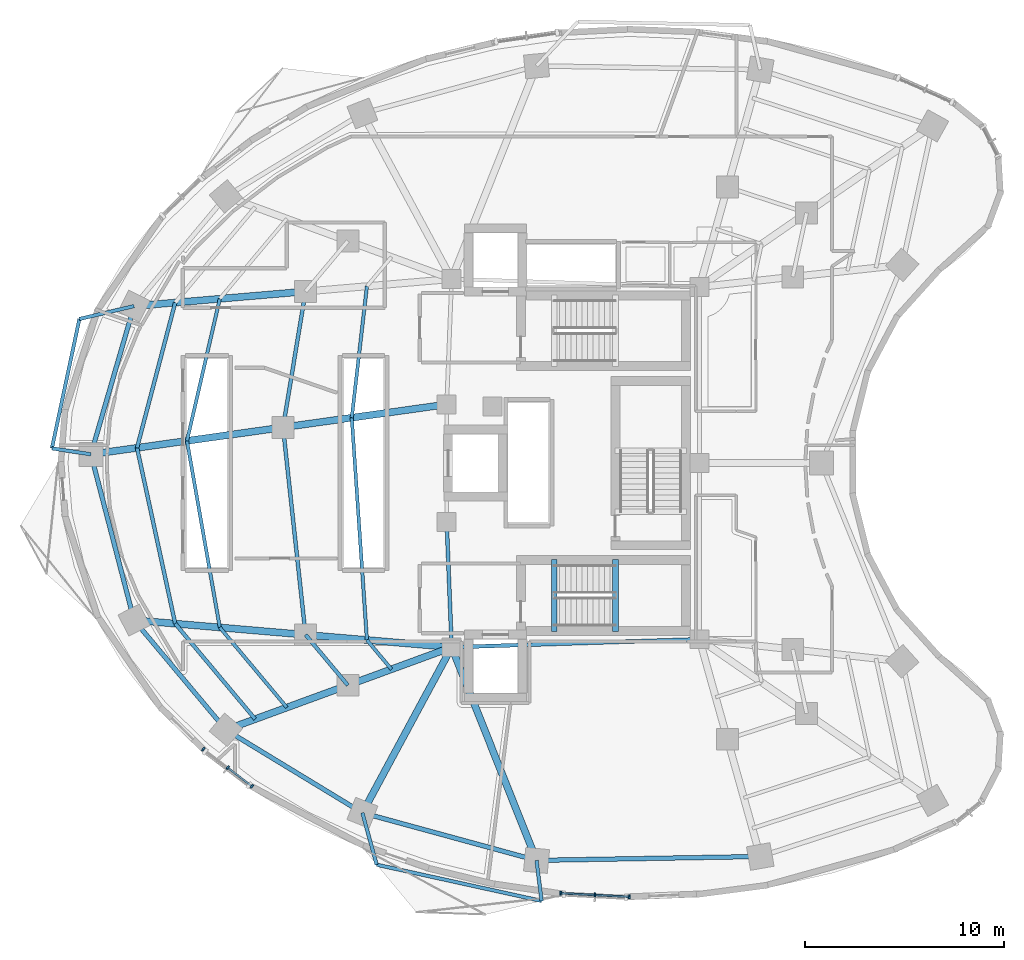
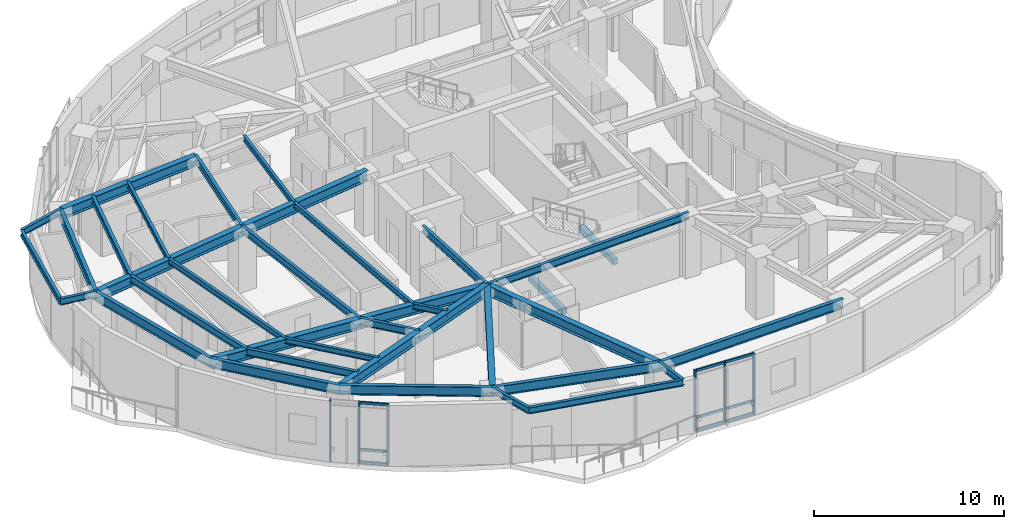
# One storey, part 2 of 13: 37 beams, 15 members, 2 elements without a shape of their own.
"""IFC4 building model written with IfcOpenShell, lengths in metres."""

from ifc_helpers import new_model, si_unit, direction, frame, origin, origin_2d, place, context, subcontext, project, spatial, rectangle, i_section, extrude, material, layer, layer_set, material_profile, profile_set, type_object, element, aggregate, save


model = new_model("IFC4")

# Units and contexts
model_context = context("Model", 3, precision=1e-05, world=origin(), true_north=direction((0.0, 1.0)))
body_context = subcontext(model_context, "Body", "Model", "MODEL_VIEW")
ifc_project = project(units=[si_unit("LENGTHUNIT", "METRE"), si_unit("AREAUNIT", "SQUARE_METRE"), si_unit("VOLUMEUNIT", "CUBIC_METRE"), si_unit("PLANEANGLEUNIT", "RADIAN"), si_unit("MASSUNIT", "GRAM", prefix="KILO")], contexts=[model_context])

# Site, building, storey
site_placement = place(None, origin())
site = spatial("IfcSite", under=ifc_project, at=site_placement, CompositionType="ELEMENT")
building_placement = place(site_placement, origin())
building = spatial("IfcBuilding", under=site, at=building_placement, Name="Korentha Bioscience Tower", CompositionType="ELEMENT")
storey_placement = place(building_placement, frame((0.0, 0.0, 123.60009765625)))
storey = spatial("IfcBuildingStorey", under=building, at=storey_placement, Name="L28", CompositionType="ELEMENT", Elevation=123.60009765625)

# Beams
ifc_material_1 = material(Name="Concrete C50", Category="concrete")
ifc_material_profile_1 = material_profile(ifc_material_1, rectangle(XDim=0.280029296875, YDim=0.3798828125, at=origin_2d()), Name="Concrete C50")
ifc_profile_set_1 = profile_set([ifc_material_profile_1], Name="Concrete C50 (ST-HB380)")
beam_type_1 = type_object("IfcBeamType", Name="Concrete Stair Header Beam RC 280x380", PredefinedType="BEAM", material=ifc_profile_set_1)
for number, where, z_axis, x_axis, name in (
    (1, (30.25, 18.550048828125, -0.190185546875), (0.0, 1.0, 0.0), (-1.0, 0.0, 0.0), "L28 ST-2 Concrete Stair Header Beam"),
    (2, (33.330078125, 18.550048828125, 1.909912109375), (0.0, 1.0, 0.0), (-1.0, 0.0, 0.0), "L28 ST-2 Half-Landing Header Beam 1"),
):
    element("IfcBeam", number, at=place(storey_placement, frame(where, z_axis=z_axis, x_axis=x_axis)), inside=storey, type_object=beam_type_1, Name=name, PredefinedType="BEAM", context=body_context, shape_type="SweptSolid", body=[
        extrude(rectangle(XDim=0.280029296875, YDim=0.3798828125, at=origin_2d()), origin(), (0.0, 0.0, 1.0), 3.599853515625),
    ])
ifc_material_2 = material(Name="Steel S355", Category="steel")
ifc_material_profile_2 = material_profile(ifc_material_2, i_section(OverallWidth=0.18994140625, OverallDepth=0.45703125, WebThickness=0.009033203125, FlangeThickness=0.014404296875, at=origin_2d()), Name="Steel S355")
ifc_profile_set_2 = profile_set([ifc_material_profile_2], Name="Steel S355 (MB-460)")
beam_type_2 = type_object("IfcBeamType", Name="Mid-Ring Tie Girder W460x74", PredefinedType="BEAM", material=ifc_profile_set_2)
beam_1_placement = place(storey_placement, frame((17.75927734375, 35.6240234375, 3.67138671875), z_axis=(-0.163580878592, -0.986529926641, 0.0), x_axis=(0.986529926641, -0.163580878592, 0.0)))
element("IfcBeam", 3, at=beam_1_placement, inside=storey, type_object=beam_type_2, Name="L28 Mid-Ring Tie Girder 06", PredefinedType="BEAM", context=body_context, shape_type="SweptSolid", body=[
    extrude(i_section(OverallWidth=0.18994140625, OverallDepth=0.45703125, WebThickness=0.009033203125, FlangeThickness=0.014404296875, at=origin_2d()), origin(), (0.0, 0.0, 1.0), 6.920654296875),
])
beam_2_placement = place(storey_placement, frame((16.627197265625, 28.796630859375, 3.67138671875), z_axis=(0.108002632645, -0.994150607977, 0.0), x_axis=(0.994150607977, 0.108002632645, 0.0)))
element("IfcBeam", 4, at=beam_2_placement, inside=storey, type_object=beam_type_2, Name="L28 Mid-Ring Tie Girder 07", PredefinedType="BEAM", context=body_context, shape_type="SweptSolid", body=[
    extrude(i_section(OverallWidth=0.18994140625, OverallDepth=0.45703125, WebThickness=0.009033203125, FlangeThickness=0.014404296875, at=origin_2d()), origin(), (0.0, 0.0, 1.0), 10.48193359375),
])
beam_3_placement = place(storey_placement, frame((17.75927734375, 18.3759765625, 3.67138671875), z_axis=(0.642121371708, -0.766602989817, 0.0), x_axis=(0.766602989817, 0.642121371708, 0.0)))
element("IfcBeam", 5, at=beam_3_placement, inside=storey, type_object=beam_type_2, Name="L28 Mid-Ring Tie Girder 08", PredefinedType="BEAM", context=body_context, shape_type="SweptSolid", body=[
    extrude(i_section(OverallWidth=0.18994140625, OverallDepth=0.45703125, WebThickness=0.009033203125, FlangeThickness=0.014404296875, at=origin_2d()), origin(), (0.0, 0.0, 1.0), 3.306640625),
])
beam_4_placement = place(storey_placement, frame((24.85009765625, 24.050048828125, 3.67138671875), z_axis=(0.039651025576, -0.999213588864, 0.0), x_axis=(0.999213588864, 0.039651025576, 0.0)))
element("IfcBeam", 6, at=beam_4_placement, inside=storey, type_object=beam_type_2, Name="L28 Core Ring Tie Girder 04", PredefinedType="BEAM", context=body_context, shape_type="SweptSolid", body=[
    extrude(i_section(OverallWidth=0.18994140625, OverallDepth=0.45703125, WebThickness=0.009033203125, FlangeThickness=0.014404296875, at=origin_2d()), origin(), (0.0, 0.0, 1.0), 6.304931640625),
])
beam_5_placement = place(storey_placement, frame((25.10009765625, 17.75, 3.67138671875), z_axis=(0.999484526071, 0.032104238723, 0.0), x_axis=(-0.032104238723, 0.999484526071, 0.0)))
element("IfcBeam", 7, at=beam_5_placement, inside=storey, type_object=beam_type_2, Name="L28 Core Ring Tie Girder 05", PredefinedType="BEAM", context=body_context, shape_type="SweptSolid", body=[
    extrude(i_section(OverallWidth=0.18994140625, OverallDepth=0.45703125, WebThickness=0.009033203125, FlangeThickness=0.014404296875, at=origin_2d()), origin(), (0.0, 0.0, 1.0), 12.456298828125),
])

# Curtain wall, members
ifc_material_3 = material(Name="Thermally Broken Aluminium Frame", Category="aluminium")
ifc_layer = layer(ifc_material_3, 0.219970703125, Name="Thermally Broken Aluminium Frame")
ifc_layer_set = layer_set([ifc_layer], Name="Thermally Broken Aluminium Frame (CW-T2)")
curtain_wall_type = type_object("IfcCurtainWallType", Name="Solar-Screened Lab Unitised Curtain Wall CW-T2", PredefinedType="USERDEFINED", material=ifc_layer_set)
curtain_wall_1_placement = place(storey_placement, origin())
curtain_wall_1 = element("IfcCurtainWall", 8, at=curtain_wall_1_placement, inside=storey, type_object=curtain_wall_type, Name="L28 Curtain Wall 25", ObjectType="UNITISED", PredefinedType="USERDEFINED")
ifc_material_4 = material(Name="Anodised Aluminium 6063-T6", Category="aluminium")
ifc_material_profile_3 = material_profile(ifc_material_4, rectangle(XDim=0.090087890625, YDim=0.199951171875, at=origin_2d()), Name="Anodised Aluminium 6063-T6")
ifc_profile_set_3 = profile_set([ifc_material_profile_3], Name="Anodised Aluminium 6063-T6 (CW-MUL)")
member_type_1 = type_object("IfcMemberType", Name="Mullion RECT 90x200", PredefinedType="MULLION", material=ifc_profile_set_3)
member_1_placement = place(storey_placement, frame((12.624267578125, 12.62890625, 0.0), z_axis=(0.0, 0.0, 1.0), x_axis=(0.794499603893, -0.607264669986, 0.0)))
member_1 = element("IfcMember", 9, at=member_1_placement, type_object=member_type_1, Name="CW-L28-25 Mullion 1", PredefinedType="MULLION", context=body_context, shape_type="SweptSolid", body=[
    extrude(rectangle(XDim=0.090087890625, YDim=0.199951171875, at=origin_2d()), origin(), (0.0, 0.0, 1.0), 3.89990234375),
])
member_2_placement = place(storey_placement, frame((13.844970703125, 11.69580078125, 0.0), z_axis=(0.0, 0.0, 1.0), x_axis=(0.794499603893, -0.607264669986, 0.0)))
member_2 = element("IfcMember", 10, at=member_2_placement, type_object=member_type_1, Name="CW-L28-25 Mullion 2", PredefinedType="MULLION", context=body_context, shape_type="SweptSolid", body=[
    extrude(rectangle(XDim=0.090087890625, YDim=0.199951171875, at=origin_2d()), origin(), (0.0, 0.0, 1.0), 3.89990234375),
])
member_3_placement = place(storey_placement, frame((15.0654296875, 10.7626953125, 0.0), z_axis=(0.0, 0.0, 1.0), x_axis=(0.794499603893, -0.607264669986, 0.0)))
member_3 = element("IfcMember", 11, at=member_3_placement, type_object=member_type_1, Name="CW-L28-25 Mullion 3", PredefinedType="MULLION", context=body_context, shape_type="SweptSolid", body=[
    extrude(rectangle(XDim=0.090087890625, YDim=0.199951171875, at=origin_2d()), origin(), (0.0, 0.0, 1.0), 3.89990234375),
])

curtain_wall_2_placement = place(storey_placement, origin())
curtain_wall_2 = element("IfcCurtainWall", 12, at=curtain_wall_2_placement, inside=storey, type_object=curtain_wall_type, Name="L28 Curtain Wall 31", ObjectType="UNITISED", PredefinedType="USERDEFINED")
member_4_placement = place(storey_placement, frame((30.571533203125, 5.39111328125, 0.0), z_axis=(0.0, 0.0, 1.0), x_axis=(0.998673231344, -0.051495407527, 0.0)))
member_4 = element("IfcMember", 13, at=member_4_placement, type_object=member_type_1, Name="CW-L28-31 Mullion 1", PredefinedType="MULLION", context=body_context, shape_type="SweptSolid", body=[
    extrude(rectangle(XDim=0.090087890625, YDim=0.199951171875, at=origin_2d()), origin(), (0.0, 0.0, 1.0), 3.89990234375),
])
member_5_placement = place(storey_placement, frame((32.301025390625, 5.302001953125, 0.0), z_axis=(0.0, 0.0, 1.0), x_axis=(0.998673231344, -0.051495407527, 0.0)))
member_5 = element("IfcMember", 14, at=member_5_placement, type_object=member_type_1, Name="CW-L28-31 Mullion 2", PredefinedType="MULLION", context=body_context, shape_type="SweptSolid", body=[
    extrude(rectangle(XDim=0.090087890625, YDim=0.199951171875, at=origin_2d()), origin(), (0.0, 0.0, 1.0), 3.89990234375),
])
member_6_placement = place(storey_placement, frame((34.03076171875, 5.212646484375, 0.0), z_axis=(0.0, 0.0, 1.0), x_axis=(0.998673231344, -0.051495407527, 0.0)))
member_6 = element("IfcMember", 15, at=member_6_placement, type_object=member_type_1, Name="CW-L28-31 Mullion 3", PredefinedType="MULLION", context=body_context, shape_type="SweptSolid", body=[
    extrude(rectangle(XDim=0.090087890625, YDim=0.199951171875, at=origin_2d()), origin(), (0.0, 0.0, 1.0), 3.89990234375),
])

# Beams
ifc_material_profile_4 = material_profile(ifc_material_2, i_section(OverallWidth=0.22802734375, OverallDepth=0.60791015625, WebThickness=0.01123046875, FlangeThickness=0.017333984375, at=origin_2d()), Name="Steel S355")
ifc_profile_set_4 = profile_set([ifc_material_profile_4], Name="Steel S355 (SB-610)")
beam_type_3 = type_object("IfcBeamType", Name="Perimeter Ring Spandrel Girder W610x113", PredefinedType="SPANDREL", material=ifc_profile_set_4)
beam_6_placement = place(storey_placement, frame((9.141845703125, 34.889404296875, 3.595947265625), z_axis=(-0.279486251653, -0.960149694129, 0.0), x_axis=(0.960149694129, -0.279486251653, 0.0)))
element("IfcBeam", 16, at=beam_6_placement, inside=storey, type_object=beam_type_3, Name="L28 Perimeter Spandrel Girder 06", PredefinedType="SPANDREL", context=body_context, shape_type="SweptSolid", body=[
    extrude(i_section(OverallWidth=0.22802734375, OverallDepth=0.60791015625, WebThickness=0.01123046875, FlangeThickness=0.017333984375, at=origin_2d()), origin(), (0.0, 0.0, 1.0), 7.756103515625),
])
beam_7_placement = place(storey_placement, frame((6.97412109375, 27.4423828125, 3.595947265625), z_axis=(0.251792692694, -0.96778119423, 0.0), x_axis=(0.96778119423, 0.251792692694, 0.0)))
element("IfcBeam", 17, at=beam_7_placement, inside=storey, type_object=beam_type_3, Name="L28 Perimeter Spandrel Girder 07", PredefinedType="SPANDREL", context=body_context, shape_type="SweptSolid", body=[
    extrude(i_section(OverallWidth=0.22802734375, OverallDepth=0.60791015625, WebThickness=0.01123046875, FlangeThickness=0.017333984375, at=origin_2d()), origin(), (0.0, 0.0, 1.0), 8.609130859375),
])
beam_8_placement = place(storey_placement, frame((9.141845703125, 19.110595703125, 3.595947265625), z_axis=(0.642126556076, -0.76659864726, 0.0), x_axis=(0.76659864726, 0.642126556076, 0.0)))
element("IfcBeam", 18, at=beam_8_placement, inside=storey, type_object=beam_type_3, Name="L28 Perimeter Spandrel Girder 08", PredefinedType="SPANDREL", context=body_context, shape_type="SweptSolid", body=[
    extrude(i_section(OverallWidth=0.22802734375, OverallDepth=0.60791015625, WebThickness=0.01123046875, FlangeThickness=0.017333984375, at=origin_2d()), origin(), (0.0, 0.0, 1.0), 7.1884765625),
])
beam_9_placement = place(storey_placement, frame((13.7578125, 13.599853515625, 3.595947265625), z_axis=(0.854461040474, -0.51951547649, 0.0), x_axis=(0.51951547649, 0.854461040474, 0.0)))
element("IfcBeam", 19, at=beam_9_placement, inside=storey, type_object=beam_type_3, Name="L28 Perimeter Spandrel Girder 09", PredefinedType="SPANDREL", context=body_context, shape_type="SweptSolid", body=[
    extrude(i_section(OverallWidth=0.22802734375, OverallDepth=0.60791015625, WebThickness=0.01123046875, FlangeThickness=0.017333984375, at=origin_2d()), origin(), (0.0, 0.0, 1.0), 8.025146484375),
])
beam_10_placement = place(storey_placement, frame((20.614990234375, 9.4306640625, 3.595947265625), z_axis=(0.964659386444, -0.263500034431, 0.0), x_axis=(0.263500034431, 0.964659386444, 0.0)))
element("IfcBeam", 20, at=beam_10_placement, inside=storey, type_object=beam_type_3, Name="L28 Perimeter Spandrel Girder 10", PredefinedType="SPANDREL", context=body_context, shape_type="SweptSolid", body=[
    extrude(i_section(OverallWidth=0.22802734375, OverallDepth=0.60791015625, WebThickness=0.01123046875, FlangeThickness=0.017333984375, at=origin_2d()), origin(), (0.0, 0.0, 1.0), 9.06982421875),
])
beam_11_placement = place(storey_placement, frame((29.3642578125, 7.040771484375, 3.595947265625), z_axis=(0.999850566826, 0.017287105523, 0.0), x_axis=(-0.017287105523, 0.999850566826, 0.0)))
element("IfcBeam", 21, at=beam_11_placement, inside=storey, type_object=beam_type_3, Name="L28 Perimeter Spandrel Girder 11", PredefinedType="SPANDREL", context=body_context, shape_type="SweptSolid", body=[
    extrude(i_section(OverallWidth=0.22802734375, OverallDepth=0.60791015625, WebThickness=0.01123046875, FlangeThickness=0.017333984375, at=origin_2d()), origin(), (0.0, 0.0, 1.0), 11.24169921875),
])
ifc_material_profile_5 = material_profile(ifc_material_2, i_section(OverallWidth=0.18994140625, OverallDepth=0.45703125, WebThickness=0.009033203125, FlangeThickness=0.014404296875, at=origin_2d()), Name="Steel S355")
ifc_profile_set_5 = profile_set([ifc_material_profile_5], Name="Steel S355 (RB-460)")
beam_type_4 = type_object("IfcBeamType", Name="Radial Laboratory Beam W460x74", PredefinedType="BEAM", material=ifc_profile_set_5)
beam_12_placement = place(storey_placement, frame((11.2099609375, 35.065673828125, 3.67138671875), z_axis=(-0.254294231014, -0.967126901742, 0.0), x_axis=(0.967126901742, -0.254294231014, 0.0)))
element("IfcBeam", 22, at=beam_12_placement, inside=storey, type_object=beam_type_4, Name="L28 Secondary Floor Beam JSTO-06", PredefinedType="BEAM", context=body_context, shape_type="SweptSolid", body=[
    extrude(i_section(OverallWidth=0.18994140625, OverallDepth=0.45703125, WebThickness=0.009033203125, FlangeThickness=0.014404296875, at=origin_2d()), origin(), (0.0, 0.0, 1.0), 7.546142578125),
])
beam_13_placement = place(storey_placement, frame((9.291015625, 27.767578125, 3.67138671875), z_axis=(0.212289478944, -0.977206824132, 0.0), x_axis=(0.977206824132, 0.212289478944, 0.0)))
element("IfcBeam", 23, at=beam_13_placement, inside=storey, type_object=beam_type_4, Name="L28 Secondary Floor Beam JSTO-07", PredefinedType="BEAM", context=body_context, shape_type="SweptSolid", body=[
    extrude(i_section(OverallWidth=0.18994140625, OverallDepth=0.45703125, WebThickness=0.009033203125, FlangeThickness=0.014404296875, at=origin_2d()), origin(), (0.0, 0.0, 1.0), 9.039306640625),
])
beam_14_placement = place(storey_placement, frame((11.2099609375, 18.934326171875, 3.67138671875), z_axis=(0.642128156066, -0.766597307057, 0.0), x_axis=(0.766597307057, 0.642128156066, 0.0)))
element("IfcBeam", 24, at=beam_14_placement, inside=storey, type_object=beam_type_4, Name="L28 Secondary Floor Beam JSTO-08", PredefinedType="BEAM", context=body_context, shape_type="SweptSolid", body=[
    extrude(i_section(OverallWidth=0.18994140625, OverallDepth=0.45703125, WebThickness=0.009033203125, FlangeThickness=0.014404296875, at=origin_2d()), origin(), (0.0, 0.0, 1.0), 6.257080078125),
])
ifc_material_profile_6 = material_profile(ifc_material_2, i_section(OverallWidth=0.35009765625, OverallDepth=0.64990234375, WebThickness=0.01611328125, FlangeThickness=0.02490234375, at=origin_2d()), Name="Steel S355")
ifc_profile_set_6 = profile_set([ifc_material_profile_6], Name="Steel S355 (RB-650)")
beam_type_5 = type_object("IfcBeamType", Name="Radial Laboratory Girder CVS 650x208", PredefinedType="BEAM", material=ifc_profile_set_6)
beam_15_placement = place(storey_placement, frame((17.75927734375, 35.6240234375, 3.574951171875), z_axis=(-0.996386071548, -0.084939957767, 0.0), x_axis=(0.084939957767, -0.996386071548, 0.0)))
element("IfcBeam", 25, at=beam_15_placement, inside=storey, type_object=beam_type_5, Name="L28 Outer Radial Girder 06", PredefinedType="BEAM", context=body_context, shape_type="SweptSolid", body=[
    extrude(i_section(OverallWidth=0.35009765625, OverallDepth=0.64990234375, WebThickness=0.01611328125, FlangeThickness=0.02490234375, at=origin_2d()), origin(), (0.0, 0.0, 1.0), 8.648681640625),
])
beam_16_placement = place(storey_placement, frame((24.85009765625, 29.949951171875, 3.574951171875), z_axis=(-0.990306752817, -0.13889757134, 0.0), x_axis=(0.13889757134, -0.990306752817, 0.0)))
element("IfcBeam", 26, at=beam_16_placement, inside=storey, type_object=beam_type_5, Name="L28 Inner Radial Girder 07", PredefinedType="BEAM", context=body_context, shape_type="SweptSolid", body=[
    extrude(i_section(OverallWidth=0.35009765625, OverallDepth=0.64990234375, WebThickness=0.01611328125, FlangeThickness=0.02490234375, at=origin_2d()), origin(), (0.0, 0.0, 1.0), 8.303466796875),
])
beam_17_placement = place(storey_placement, frame((16.627197265625, 28.796630859375, 3.574951171875), z_axis=(-0.99030201931, -0.138931315944, 0.0), x_axis=(0.138931315944, -0.99030201931, 0.0)))
element("IfcBeam", 27, at=beam_17_placement, inside=storey, type_object=beam_type_5, Name="L28 Outer Radial Girder 07", PredefinedType="BEAM", context=body_context, shape_type="SweptSolid", body=[
    extrude(i_section(OverallWidth=0.35009765625, OverallDepth=0.64990234375, WebThickness=0.01611328125, FlangeThickness=0.02490234375, at=origin_2d()), origin(), (0.0, 0.0, 1.0), 9.74755859375),
])
beam_18_placement = place(storey_placement, frame((25.10009765625, 17.75, 3.574951171875), z_axis=(-0.996383934197, 0.084965026183, 0.0), x_axis=(-0.084965026183, -0.996383934197, 0.0)))
element("IfcBeam", 28, at=beam_18_placement, inside=storey, type_object=beam_type_5, Name="L28 Inner Radial Girder 08", PredefinedType="BEAM", context=body_context, shape_type="SweptSolid", body=[
    extrude(i_section(OverallWidth=0.35009765625, OverallDepth=0.64990234375, WebThickness=0.01611328125, FlangeThickness=0.02490234375, at=origin_2d()), origin(), (0.0, 0.0, 1.0), 7.367431640625),
])
beam_19_placement = place(storey_placement, frame((17.75927734375, 18.3759765625, 3.574951171875), z_axis=(-0.996386071548, 0.084939957767, 0.0), x_axis=(-0.084939957767, -0.996386071548, 0.0)))
element("IfcBeam", 29, at=beam_19_placement, inside=storey, type_object=beam_type_5, Name="L28 Outer Radial Girder 08", PredefinedType="BEAM", context=body_context, shape_type="SweptSolid", body=[
    extrude(i_section(OverallWidth=0.35009765625, OverallDepth=0.64990234375, WebThickness=0.01611328125, FlangeThickness=0.02490234375, at=origin_2d()), origin(), (0.0, 0.0, 1.0), 8.648681640625),
])
beam_20_placement = place(storey_placement, frame((25.10009765625, 17.75, 3.574951171875), z_axis=(-0.939118010396, -0.343594765022, 0.0), x_axis=(0.343594765022, -0.939118010396, 0.0)))
element("IfcBeam", 30, at=beam_20_placement, inside=storey, type_object=beam_type_5, Name="L28 Inner Radial Girder 09", PredefinedType="BEAM", context=body_context, shape_type="SweptSolid", body=[
    extrude(i_section(OverallWidth=0.35009765625, OverallDepth=0.64990234375, WebThickness=0.01611328125, FlangeThickness=0.02490234375, at=origin_2d()), origin(), (0.0, 0.0, 1.0), 5.5556640625),
])
beam_21_placement = place(storey_placement, frame((19.882568359375, 15.841064453125, 3.574951171875), z_axis=(-0.939100755225, -0.343641923425, 0.0), x_axis=(0.343641923425, -0.939100755225, 0.0)))
element("IfcBeam", 31, at=beam_21_placement, inside=storey, type_object=beam_type_5, Name="L28 Outer Radial Girder 09", PredefinedType="BEAM", context=body_context, shape_type="SweptSolid", body=[
    extrude(i_section(OverallWidth=0.35009765625, OverallDepth=0.64990234375, WebThickness=0.01611328125, FlangeThickness=0.02490234375, at=origin_2d()), origin(), (0.0, 0.0, 1.0), 6.52197265625),
])
beam_22_placement = place(storey_placement, frame((25.10009765625, 17.75, 3.574951171875), z_axis=(-0.474548018732, -0.880229616587, 0.0), x_axis=(0.880229616587, -0.474548018732, 0.0)))
element("IfcBeam", 32, at=beam_22_placement, inside=storey, type_object=beam_type_5, Name="L28 Radial Girder 10", PredefinedType="BEAM", context=body_context, shape_type="SweptSolid", body=[
    extrude(i_section(OverallWidth=0.35009765625, OverallDepth=0.64990234375, WebThickness=0.01611328125, FlangeThickness=0.02490234375, at=origin_2d()), origin(), (0.0, 0.0, 1.0), 9.451416015625),
])
beam_23_placement = place(storey_placement, frame((25.10009765625, 17.75, 3.574951171875), z_axis=(0.369929528493, -0.929059817207, 0.0), x_axis=(0.929059817207, 0.369929528493, 0.0)))
element("IfcBeam", 33, at=beam_23_placement, inside=storey, type_object=beam_type_5, Name="L28 Radial Girder 11", PredefinedType="BEAM", context=body_context, shape_type="SweptSolid", body=[
    extrude(i_section(OverallWidth=0.35009765625, OverallDepth=0.64990234375, WebThickness=0.01611328125, FlangeThickness=0.02490234375, at=origin_2d()), origin(), (0.0, 0.0, 1.0), 11.52685546875),
])
ifc_material_profile_7 = material_profile(ifc_material_2, i_section(OverallWidth=0.1708984375, OverallDepth=0.35498046875, WebThickness=0.007080078125, FlangeThickness=0.01171875, at=origin_2d()), Name="Steel S355")
ifc_profile_set_7 = profile_set([ifc_material_profile_7], Name="Steel S355 (JB-360)")
beam_type_6 = type_object("IfcBeamType", Name="Secondary Laboratory Joist W360x51", PredefinedType="JOIST", material=ifc_profile_set_7)
beam_24_placement = place(storey_placement, frame((13.450439453125, 35.256591796875, 3.722412109375), z_axis=(-0.225236780605, -0.974304055551, 0.0), x_axis=(0.974304055551, -0.225236780605, 0.0)))
element("IfcBeam", 34, at=beam_24_placement, inside=storey, type_object=beam_type_6, Name="L28 Secondary Floor Beam JST-06", PredefinedType="JOIST", context=body_context, shape_type="SweptSolid", body=[
    extrude(i_section(OverallWidth=0.1708984375, OverallDepth=0.35498046875, WebThickness=0.007080078125, FlangeThickness=0.01171875, at=origin_2d()), origin(), (0.0, 0.0, 1.0), 7.3251953125),
])
beam_25_placement = place(storey_placement, frame((20.84228515625, 35.886962890625, 3.722412109375), z_axis=(-0.114512623722, -0.993421793101, 0.0), x_axis=(0.993421793101, -0.114512623722, 0.0)))
element("IfcBeam", 35, at=beam_25_placement, inside=storey, type_object=beam_type_6, Name="L28 Inner Bay Joist 06", PredefinedType="JOIST", context=body_context, shape_type="SweptSolid", body=[
    extrude(i_section(OverallWidth=0.1708984375, OverallDepth=0.35498046875, WebThickness=0.007080078125, FlangeThickness=0.01171875, at=origin_2d()), origin(), (0.0, 0.0, 1.0), 6.649658203125),
])
beam_26_placement = place(storey_placement, frame((11.800537109375, 28.11962890625, 3.722412109375), z_axis=(0.173304009699, -0.984868377105, 0.0), x_axis=(0.984868377105, 0.173304009699, 0.0)))
element("IfcBeam", 36, at=beam_26_placement, inside=storey, type_object=beam_type_6, Name="L28 Secondary Floor Beam JST-07", PredefinedType="JOIST", context=body_context, shape_type="SweptSolid", body=[
    extrude(i_section(OverallWidth=0.1708984375, OverallDepth=0.35498046875, WebThickness=0.007080078125, FlangeThickness=0.01171875, at=origin_2d()), origin(), (0.0, 0.0, 1.0), 9.520263671875),
])
beam_27_placement = place(storey_placement, frame((20.080810546875, 29.281005859375, 3.722412109375), z_axis=(0.068025861704, -0.997683558118, 0.0), x_axis=(0.997683558118, 0.068025861704, 0.0)))
element("IfcBeam", 37, at=beam_27_placement, inside=storey, type_object=beam_type_6, Name="L28 Inner Bay Joist 07", PredefinedType="JOIST", context=body_context, shape_type="SweptSolid", body=[
    extrude(i_section(OverallWidth=0.1708984375, OverallDepth=0.35498046875, WebThickness=0.007080078125, FlangeThickness=0.01171875, at=origin_2d()), origin(), (0.0, 0.0, 1.0), 11.19384765625),
])
beam_28_placement = place(storey_placement, frame((13.450439453125, 18.743408203125, 3.722412109375), z_axis=(0.642140812018, -0.76658670582, 0.0), x_axis=(0.76658670582, 0.642140812018, 0.0)))
element("IfcBeam", 38, at=beam_28_placement, inside=storey, type_object=beam_type_6, Name="L28 Secondary Floor Beam JST-08", PredefinedType="JOIST", context=body_context, shape_type="SweptSolid", body=[
    extrude(i_section(OverallWidth=0.1708984375, OverallDepth=0.35498046875, WebThickness=0.007080078125, FlangeThickness=0.01171875, at=origin_2d()), origin(), (0.0, 0.0, 1.0), 5.247802734375),
])
beam_29_placement = place(storey_placement, frame((20.84228515625, 18.113037109375, 3.722412109375), z_axis=(0.64218549873, -0.766549271229, 0.0), x_axis=(0.766549271229, 0.64218549873, 0.0)))
element("IfcBeam", 39, at=beam_29_placement, inside=storey, type_object=beam_type_6, Name="L28 Inner Bay Joist 08", PredefinedType="JOIST", context=body_context, shape_type="SweptSolid", body=[
    extrude(i_section(OverallWidth=0.1708984375, OverallDepth=0.35498046875, WebThickness=0.007080078125, FlangeThickness=0.01171875, at=origin_2d()), origin(), (0.0, 0.0, 1.0), 1.91796875),
])
ifc_material_profile_8 = material_profile(ifc_material_2, i_section(OverallWidth=0.177978515625, OverallDepth=0.406982421875, WebThickness=0.0078125, FlangeThickness=0.0126953125, at=origin_2d()), Name="Steel S355")
ifc_profile_set_8 = profile_set([ifc_material_profile_8], Name="Steel S355 (CB-410)")
beam_type_7 = type_object("IfcBeamType", Name="Sun-Ledge Cantilever Beam W410x60", PredefinedType="BEAM", material=ifc_profile_set_8)
beam_30_placement = place(storey_placement, frame((9.141845703125, 34.889404296875, 3.698486328125), z_axis=(-0.973303545012, -0.229521696725, 0.0), x_axis=(0.229521696725, -0.973303545012, 0.0)))
element("IfcBeam", 40, at=beam_30_placement, inside=storey, type_object=beam_type_7, Name="L28 Balcony Cantilever Bracket A-L29-02", PredefinedType="BEAM", context=body_context, shape_type="SweptSolid", body=[
    extrude(i_section(OverallWidth=0.177978515625, OverallDepth=0.406982421875, WebThickness=0.0078125, FlangeThickness=0.0126953125, at=origin_2d()), origin(), (0.0, 0.0, 1.0), 2.82080078125),
])
beam_31_placement = place(storey_placement, frame((6.97412109375, 27.4423828125, 3.698486328125), z_axis=(-0.988449844693, 0.151548357058, 0.0), x_axis=(-0.151548357058, -0.988449844693, 0.0)))
element("IfcBeam", 41, at=beam_31_placement, inside=storey, type_object=beam_type_7, Name="L28 Balcony Cantilever Bracket B-L29-02", PredefinedType="BEAM", context=body_context, shape_type="SweptSolid", body=[
    extrude(i_section(OverallWidth=0.177978515625, OverallDepth=0.406982421875, WebThickness=0.0078125, FlangeThickness=0.0126953125, at=origin_2d()), origin(), (0.0, 0.0, 1.0), 1.983154296875),
])
beam_32_placement = place(storey_placement, frame((6.396240234375, 34.241943359375, 3.698486328125), z_axis=(-0.208043322496, -0.978119612299, 0.0), x_axis=(0.978119612299, -0.208043322496, 0.0)))
element("IfcBeam", 42, at=beam_32_placement, inside=storey, type_object=beam_type_7, Name="L28 Balcony Edge Trimmer Beam L29-02", PredefinedType="BEAM", context=body_context, shape_type="SweptSolid", body=[
    extrude(i_section(OverallWidth=0.177978515625, OverallDepth=0.406982421875, WebThickness=0.0078125, FlangeThickness=0.0126953125, at=origin_2d()), origin(), (0.0, 0.0, 1.0), 6.644287109375),
])
beam_33_placement = place(storey_placement, frame((20.614990234375, 9.4306640625, 3.698486328125), z_axis=(0.26487511254, -0.964282725531, 0.0), x_axis=(0.964282725531, 0.26487511254, 0.0)))
element("IfcBeam", 43, at=beam_33_placement, inside=storey, type_object=beam_type_7, Name="L28 Balcony Cantilever Bracket A-L29-03", PredefinedType="BEAM", context=body_context, shape_type="SweptSolid", body=[
    extrude(i_section(OverallWidth=0.177978515625, OverallDepth=0.406982421875, WebThickness=0.0078125, FlangeThickness=0.0126953125, at=origin_2d()), origin(), (0.0, 0.0, 1.0), 2.702392578125),
])
beam_34_placement = place(storey_placement, frame((29.3642578125, 7.040771484375, 3.698486328125), z_axis=(0.124078617268, -0.992272390393, 0.0), x_axis=(0.992272390393, 0.124078617268, 0.0)))
element("IfcBeam", 44, at=beam_34_placement, inside=storey, type_object=beam_type_7, Name="L28 Balcony Cantilever Bracket B-L29-03", PredefinedType="BEAM", context=body_context, shape_type="SweptSolid", body=[
    extrude(i_section(OverallWidth=0.177978515625, OverallDepth=0.406982421875, WebThickness=0.0078125, FlangeThickness=0.0126953125, at=origin_2d()), origin(), (0.0, 0.0, 1.0), 2.05419921875),
])
beam_35_placement = place(storey_placement, frame((21.330810546875, 6.82470703125, 3.698486328125), z_axis=(0.976673314546, -0.21473061415, 0.0), x_axis=(0.21473061415, 0.976673314546, 0.0)))
element("IfcBeam", 45, at=beam_35_placement, inside=storey, type_object=beam_type_7, Name="L28 Balcony Edge Trimmer Beam L29-03", PredefinedType="BEAM", context=body_context, shape_type="SweptSolid", body=[
    extrude(i_section(OverallWidth=0.177978515625, OverallDepth=0.406982421875, WebThickness=0.0078125, FlangeThickness=0.0126953125, at=origin_2d()), origin(), (0.0, 0.0, 1.0), 8.486328125),
])

# Member
ifc_material_profile_9 = material_profile(ifc_material_4, rectangle(XDim=0.090087890625, YDim=0.159912109375, at=origin_2d()), Name="Anodised Aluminium 6063-T6")
ifc_profile_set_9 = profile_set([ifc_material_profile_9], Name="Anodised Aluminium 6063-T6 (CW-TRN)")
member_type_2 = type_object("IfcMemberType", Name="Transom RECT 90x160", PredefinedType="USERDEFINED", material=ifc_profile_set_9)
member_7_placement = place(storey_placement, frame((13.880615234375, 11.66845703125, 0.044921875), z_axis=(0.794477589546, -0.607293470828, 0.0), x_axis=(0.607293470828, 0.794477589546, 0.0)))
member_7 = element("IfcMember", 46, at=member_7_placement, type_object=member_type_2, Name="CW-L28-25 Bay 2 Transom 1", ObjectType="TRANSOM", PredefinedType="USERDEFINED", context=body_context, shape_type="SweptSolid", body=[
    extrude(rectangle(XDim=0.090087890625, YDim=0.159912109375, at=origin_2d()), origin(), (0.0, 0.0, 1.0), 1.446533203125),
])

member_8_placement = place(storey_placement, frame((13.880615234375, 11.66845703125, 0.849853515625), z_axis=(0.794477589546, -0.607293470828, 0.0), x_axis=(0.607293470828, 0.794477589546, 0.0)))
member_8 = element("IfcMember", 47, at=member_8_placement, type_object=member_type_2, Name="CW-L28-25 Bay 2 Transom 2", ObjectType="TRANSOM", PredefinedType="USERDEFINED", context=body_context, shape_type="SweptSolid", body=[
    extrude(rectangle(XDim=0.090087890625, YDim=0.159912109375, at=origin_2d()), origin(), (0.0, 0.0, 1.0), 1.446533203125),
])

member_9_placement = place(storey_placement, frame((13.880615234375, 11.66845703125, 3.85498046875), z_axis=(0.794477589546, -0.607293470828, 0.0), x_axis=(0.607293470828, 0.794477589546, 0.0)))
member_9 = element("IfcMember", 48, at=member_9_placement, type_object=member_type_2, Name="CW-L28-25 Bay 2 Transom 3", ObjectType="TRANSOM", PredefinedType="USERDEFINED", context=body_context, shape_type="SweptSolid", body=[
    extrude(rectangle(XDim=0.090087890625, YDim=0.159912109375, at=origin_2d()), origin(), (0.0, 0.0, 1.0), 1.446533203125),
])

aggregate(curtain_wall_1, [member_1, member_2, member_3, member_7, member_8, member_9])

member_10_placement = place(storey_placement, frame((30.616455078125, 5.388916015625, 0.044921875), z_axis=(0.998667892989, -0.05159883247, 0.0), x_axis=(0.05159883247, 0.998667892989, 0.0)))
member_10 = element("IfcMember", 49, at=member_10_placement, type_object=member_type_2, Name="CW-L28-31 Bay 1 Transom 1", ObjectType="TRANSOM", PredefinedType="USERDEFINED", context=body_context, shape_type="SweptSolid", body=[
    extrude(rectangle(XDim=0.090087890625, YDim=0.159912109375, at=origin_2d()), origin(), (0.0, 0.0, 1.0), 1.641845703125),
])

member_11_placement = place(storey_placement, frame((30.616455078125, 5.388916015625, 0.849853515625), z_axis=(0.998667892989, -0.05159883247, 0.0), x_axis=(0.05159883247, 0.998667892989, 0.0)))
member_11 = element("IfcMember", 50, at=member_11_placement, type_object=member_type_2, Name="CW-L28-31 Bay 1 Transom 2", ObjectType="TRANSOM", PredefinedType="USERDEFINED", context=body_context, shape_type="SweptSolid", body=[
    extrude(rectangle(XDim=0.090087890625, YDim=0.159912109375, at=origin_2d()), origin(), (0.0, 0.0, 1.0), 1.641845703125),
])

member_12_placement = place(storey_placement, frame((30.616455078125, 5.388916015625, 3.85498046875), z_axis=(0.998667892989, -0.05159883247, 0.0), x_axis=(0.05159883247, 0.998667892989, 0.0)))
member_12 = element("IfcMember", 51, at=member_12_placement, type_object=member_type_2, Name="CW-L28-31 Bay 1 Transom 3", ObjectType="TRANSOM", PredefinedType="USERDEFINED", context=body_context, shape_type="SweptSolid", body=[
    extrude(rectangle(XDim=0.090087890625, YDim=0.159912109375, at=origin_2d()), origin(), (0.0, 0.0, 1.0), 1.641845703125),
])

member_13_placement = place(storey_placement, frame((32.345947265625, 5.299560546875, 0.044921875), z_axis=(0.998675544552, -0.051450526863, 0.0), x_axis=(0.051450526863, 0.998675544552, 0.0)))
member_13 = element("IfcMember", 52, at=member_13_placement, type_object=member_type_2, Name="CW-L28-31 Bay 2 Transom 1", ObjectType="TRANSOM", PredefinedType="USERDEFINED", context=body_context, shape_type="SweptSolid", body=[
    extrude(rectangle(XDim=0.090087890625, YDim=0.159912109375, at=origin_2d()), origin(), (0.0, 0.0, 1.0), 1.641845703125),
])

member_14_placement = place(storey_placement, frame((32.345947265625, 5.299560546875, 0.849853515625), z_axis=(0.998675544552, -0.051450526863, 0.0), x_axis=(0.051450526863, 0.998675544552, 0.0)))
member_14 = element("IfcMember", 53, at=member_14_placement, type_object=member_type_2, Name="CW-L28-31 Bay 2 Transom 2", ObjectType="TRANSOM", PredefinedType="USERDEFINED", context=body_context, shape_type="SweptSolid", body=[
    extrude(rectangle(XDim=0.090087890625, YDim=0.159912109375, at=origin_2d()), origin(), (0.0, 0.0, 1.0), 1.641845703125),
])

member_15_placement = place(storey_placement, frame((32.345947265625, 5.299560546875, 3.85498046875), z_axis=(0.998675544552, -0.051450526863, 0.0), x_axis=(0.051450526863, 0.998675544552, 0.0)))
member_15 = element("IfcMember", 54, at=member_15_placement, type_object=member_type_2, Name="CW-L28-31 Bay 2 Transom 3", ObjectType="TRANSOM", PredefinedType="USERDEFINED", context=body_context, shape_type="SweptSolid", body=[
    extrude(rectangle(XDim=0.090087890625, YDim=0.159912109375, at=origin_2d()), origin(), (0.0, 0.0, 1.0), 1.641845703125),
])

aggregate(curtain_wall_2, [member_4, member_5, member_6, member_10, member_11, member_12, member_13, member_14, member_15])

save(model, "model.ifc")
